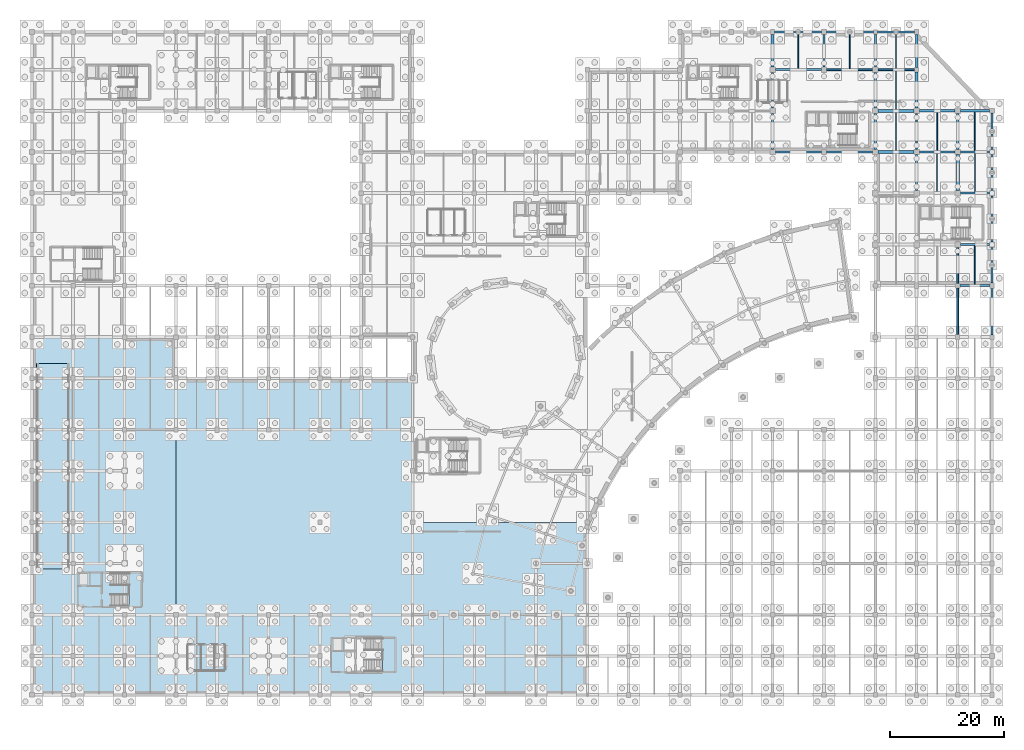
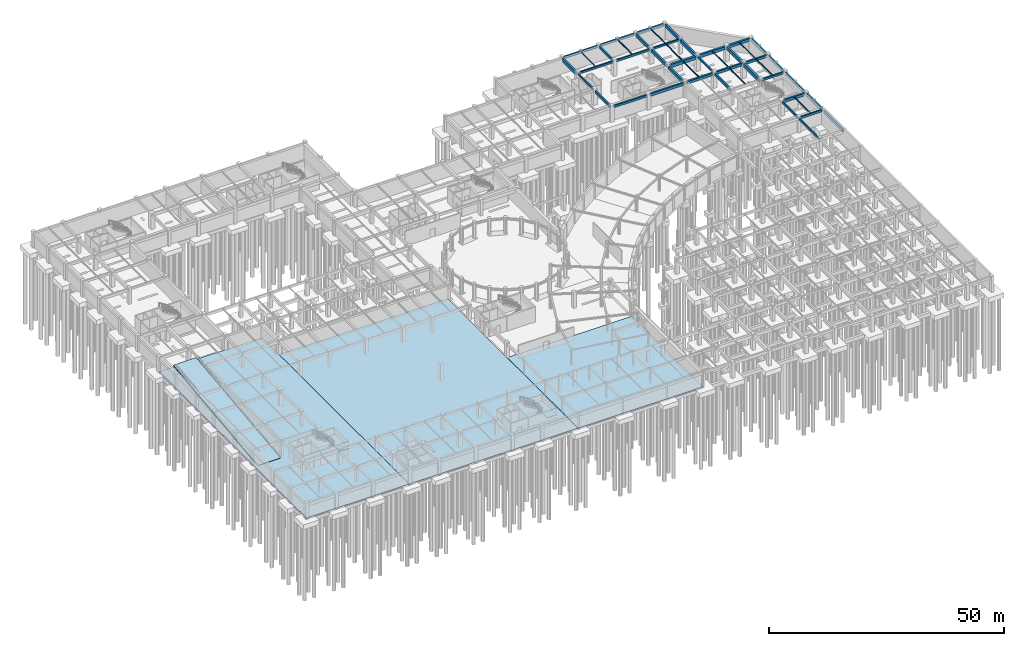
# One storey, part 27 of 42: 47 beams, 6 slabs, 2 elements without a shape of their own.
"""IFC4 building model written with IfcOpenShell, lengths in metres."""

from ifc_helpers import new_model, si_unit, direction, frame, origin, origin_2d, place, context, subcontext, project, spatial, polyline, rectangle, i_section, outline, extrude, material, layer, layer_set, material_profile, profile_set, type_object, element, aggregate, save


model = new_model("IFC4")

# Units and contexts
model_context = context("Model", 3, precision=1e-05, world=origin(), true_north=direction((0.0, 1.0)))
body_context = subcontext(model_context, "Body", "Model", "MODEL_VIEW")
ifc_project = project(units=[si_unit("LENGTHUNIT", "METRE"), si_unit("AREAUNIT", "SQUARE_METRE"), si_unit("VOLUMEUNIT", "CUBIC_METRE"), si_unit("PLANEANGLEUNIT", "RADIAN"), si_unit("MASSUNIT", "GRAM", prefix="KILO")], contexts=[model_context])

# Site, building, storey
site_placement = place(None, origin())
site = spatial("IfcSite", under=ifc_project, at=site_placement, CompositionType="ELEMENT")
building_placement = place(site_placement, origin())
building = spatial("IfcBuilding", under=site, at=building_placement, Name="Clarverna Civic Hall", CompositionType="ELEMENT")
storey_placement = place(building_placement, frame((0.0, 0.0, -4.199951171875)))
storey = spatial("IfcBuildingStorey", under=building, at=storey_placement, Name="B01", CompositionType="ELEMENT", Elevation=-4.199951171875)

# Beams
ifc_material_1 = material(Name="Concrete C35/45", Category="concrete")
ifc_material_profile_1 = material_profile(ifc_material_1, rectangle(XDim=0.5, YDim=0.85009765625, at=origin_2d()), Name="RC 500x850")
ifc_profile_set_1 = profile_set([ifc_material_profile_1], Name="Concrete C35/45")
beam_type_1 = type_object("IfcBeamType", Name="B-RC1", PredefinedType="BEAM", material=ifc_profile_set_1)
beam_1_placement = place(storey_placement, frame((148.074951171875, 102.199951171875, 3.4150390625), z_axis=(1.0, 0.0, 0.0), x_axis=(0.0, 1.0, 0.0)))
element("IfcBeam", 1, at=beam_1_placement, inside=storey, type_object=beam_type_1, Name="B-RC1-006", PredefinedType="BEAM", context=body_context, shape_type="SweptSolid", body=[
    extrude(rectangle(XDim=0.5, YDim=0.85009765625, at=origin_2d()), origin(), (0.0, 0.0, 1.0), 6.25),
])
beam_2_placement = place(storey_placement, frame((129.60009765625, 109.875, 3.4150390625), z_axis=(0.0, 1.0, 0.0), x_axis=(-1.0, 0.0, 0.0)))
element("IfcBeam", 2, at=beam_2_placement, inside=storey, type_object=beam_type_1, Name="B-RC1-011", PredefinedType="BEAM", context=body_context, shape_type="SweptSolid", body=[
    extrude(rectangle(XDim=0.5, YDim=0.85009765625, at=origin_2d()), origin(), (0.0, 0.0, 1.0), 5.675048828125),
])
beam_3_placement = place(storey_placement, frame((154.800048828125, 102.675048828125, 3.4150390625), z_axis=(0.0, 1.0, 0.0), x_axis=(-1.0, 0.0, 0.0)))
element("IfcBeam", 3, at=beam_3_placement, inside=storey, type_object=beam_type_1, Name="B-RC1-012", PredefinedType="BEAM", context=body_context, shape_type="SweptSolid", body=[
    extrude(rectangle(XDim=0.5, YDim=0.85009765625, at=origin_2d()), origin(), (0.0, 0.0, 1.0), 6.349853515625),
])
ifc_material_profile_2 = material_profile(ifc_material_1, rectangle(XDim=0.35009765625, YDim=0.5, at=origin_2d()), Name="RC 350x500")
ifc_profile_set_2 = profile_set([ifc_material_profile_2], Name="Concrete C35/45")
beam_type_2 = type_object("IfcBeamType", Name="B-RC10", PredefinedType="BEAM", material=ifc_profile_set_2)
beam_4_placement = place(storey_placement, frame((130.074951171875, 109.39990234375, 3.58984375), z_axis=(1.0, 0.0, 0.0), x_axis=(0.0, 1.0, 0.0)))
element("IfcBeam", 4, at=beam_4_placement, inside=storey, type_object=beam_type_2, Name="B-RC10-009", PredefinedType="BEAM", context=body_context, shape_type="SweptSolid", body=[
    extrude(rectangle(XDim=0.35009765625, YDim=0.5, at=origin_2d()), origin(), (0.0, 0.0, 1.0), 8.050048828125),
])
ifc_material_profile_3 = material_profile(ifc_material_1, rectangle(XDim=0.300048828125, YDim=0.550048828125, at=origin_2d()), Name="RC 300x550")
ifc_profile_set_3 = profile_set([ifc_material_profile_3], Name="Concrete C35/45")
beam_type_3 = type_object("IfcBeamType", Name="B-RC11", PredefinedType="BEAM", material=ifc_profile_set_3)
beam_5_placement = place(storey_placement, frame((139.074951171875, 109.39990234375, 3.56494140625), z_axis=(1.0, 0.0, 0.0), x_axis=(0.0, 1.0, 0.0)))
element("IfcBeam", 5, at=beam_5_placement, inside=storey, type_object=beam_type_3, Name="B-RC11-009", PredefinedType="BEAM", context=body_context, shape_type="SweptSolid", body=[
    extrude(rectangle(XDim=0.300048828125, YDim=0.550048828125, at=origin_2d()), origin(), (0.0, 0.0, 1.0), 8.050048828125),
])
beam_6_placement = place(storey_placement, frame((162.0, 63.050048828125, 3.56494140625), z_axis=(0.0, 1.0, 0.0), x_axis=(-1.0, 0.0, 0.0)))
element("IfcBeam", 6, at=beam_6_placement, inside=storey, type_object=beam_type_3, Name="B-RC11-017", PredefinedType="BEAM", context=body_context, shape_type="SweptSolid", body=[
    extrude(rectangle(XDim=0.300048828125, YDim=0.550048828125, at=origin_2d()), origin(), (0.0, 0.0, 1.0), 8.14990234375),
])
ifc_material_profile_4 = material_profile(ifc_material_1, rectangle(XDim=0.300048828125, YDim=0.5, at=origin_2d()), Name="RC 300x500")
ifc_profile_set_4 = profile_set([ifc_material_profile_4], Name="Concrete C35/45")
beam_type_4 = type_object("IfcBeamType", Name="B-RC12", PredefinedType="BEAM", material=ifc_profile_set_4)
beam_7_placement = place(storey_placement, frame((148.074951171875, 109.39990234375, 3.58984375), z_axis=(1.0, 0.0, 0.0), x_axis=(0.0, 1.0, 0.0)))
element("IfcBeam", 7, at=beam_7_placement, inside=storey, type_object=beam_type_4, Name="B-RC12-009", PredefinedType="BEAM", context=body_context, shape_type="SweptSolid", body=[
    extrude(rectangle(XDim=0.300048828125, YDim=0.5, at=origin_2d()), origin(), (0.0, 0.0, 1.0), 6.35009765625),
])
beam_8_placement = place(storey_placement, frame((162.0, 72.0, 3.58984375), z_axis=(0.0, 1.0, 0.0), x_axis=(-1.0, 0.0, 0.0)))
element("IfcBeam", 8, at=beam_8_placement, inside=storey, type_object=beam_type_4, Name="B-RC12-018", PredefinedType="BEAM", context=body_context, shape_type="SweptSolid", body=[
    extrude(rectangle(XDim=0.300048828125, YDim=0.5, at=origin_2d()), origin(), (0.0, 0.0, 1.0), 6.324951171875),
])
ifc_material_profile_5 = material_profile(ifc_material_1, rectangle(XDim=0.550048828125, YDim=0.89990234375, at=origin_2d()), Name="RC 550x900")
ifc_profile_set_5 = profile_set([ifc_material_profile_5], Name="Concrete C35/45")
beam_type_5 = type_object("IfcBeamType", Name="B-RC13", PredefinedType="BEAM", material=ifc_profile_set_5)
beam_9_placement = place(storey_placement, frame((162.0, 88.27490234375, 3.389892578125), z_axis=(0.0, 1.0, 0.0), x_axis=(-1.0, 0.0, 0.0)))
element("IfcBeam", 9, at=beam_9_placement, inside=storey, type_object=beam_type_5, Name="B-RC13-016", PredefinedType="BEAM", context=body_context, shape_type="SweptSolid", body=[
    extrude(rectangle(XDim=0.550048828125, YDim=0.89990234375, at=origin_2d()), origin(), (0.0, 0.0, 1.0), 6.25),
])
ifc_material_profile_6 = material_profile(ifc_material_1, rectangle(XDim=0.5, YDim=0.800048828125, at=origin_2d()), Name="RC 500x800")
ifc_profile_set_6 = profile_set([ifc_material_profile_6], Name="Concrete C35/45")
beam_type_6 = type_object("IfcBeamType", Name="B-RC14", PredefinedType="BEAM", material=ifc_profile_set_6)
beam_10_placement = place(storey_placement, frame((162.0, 95.47509765625, 3.43994140625), z_axis=(0.0, 1.0, 0.0), x_axis=(-1.0, 0.0, 0.0)))
element("IfcBeam", 10, at=beam_10_placement, inside=storey, type_object=beam_type_6, Name="B-RC14-017", PredefinedType="BEAM", context=body_context, shape_type="SweptSolid", body=[
    extrude(rectangle(XDim=0.5, YDim=0.800048828125, at=origin_2d()), origin(), (0.0, 0.0, 1.0), 6.25),
])
ifc_material_profile_7 = material_profile(ifc_material_1, rectangle(XDim=0.39990234375, YDim=0.75, at=origin_2d()), Name="RC 400x750")
ifc_profile_set_7 = profile_set([ifc_material_profile_7], Name="Concrete C35/45")
beam_type_7 = type_object("IfcBeamType", Name="B-RC16", PredefinedType="BEAM", material=ifc_profile_set_7)
beam_11_placement = place(storey_placement, frame((162.47509765625, 78.800048828125, 3.46484375), z_axis=(1.0, 0.0, 0.0), x_axis=(0.0, 1.0, 0.0)))
element("IfcBeam", 11, at=beam_11_placement, inside=storey, type_object=beam_type_7, Name="B-RC16-007", PredefinedType="BEAM", context=body_context, shape_type="SweptSolid", body=[
    extrude(rectangle(XDim=0.39990234375, YDim=0.75, at=origin_2d()), origin(), (0.0, 0.0, 1.0), 5.0498046875),
])
ifc_material_profile_8 = material_profile(ifc_material_1, rectangle(XDim=0.35009765625, YDim=0.64990234375, at=origin_2d()), Name="RC 350x650")
ifc_profile_set_8 = profile_set([ifc_material_profile_8], Name="Concrete C35/45")
beam_type_8 = type_object("IfcBeamType", Name="B-RC17", PredefinedType="BEAM", material=ifc_profile_set_8)
for number, where, z_axis, x_axis, name in (
    (12, (129.60009765625, 95.47509765625, 3.514892578125), (0.0, 1.0, 0.0), (-1.0, 0.0, 0.0), "B-RC17-014"),
    (13, (154.800048828125, 88.27490234375, 3.514892578125), (0.0, 1.0, 0.0), (-1.0, 0.0, 0.0), "B-RC17-016"),
):
    element("IfcBeam", number, at=place(storey_placement, frame(where, z_axis=z_axis, x_axis=x_axis)), inside=storey, type_object=beam_type_8, Name=name, PredefinedType="BEAM", context=body_context, shape_type="SweptSolid", body=[
        extrude(rectangle(XDim=0.35009765625, YDim=0.64990234375, at=origin_2d()), origin(), (0.0, 0.0, 1.0), 6.25),
    ])
ifc_material_profile_9 = material_profile(ifc_material_1, rectangle(XDim=0.300048828125, YDim=0.449951171875, at=origin_2d()), Name="RC 300x450")
ifc_profile_set_9 = profile_set([ifc_material_profile_9], Name="Concrete C35/45")
beam_type_9 = type_object("IfcBeamType", Name="B-RC18", PredefinedType="BEAM", material=ifc_profile_set_9)
for number, where, z_axis, x_axis, name in (
    (14, (129.60009765625, 102.675048828125, 3.614990234375), (0.0, 1.0, 0.0), (-1.0, 0.0, 0.0), "B-RC18-011"),
    (15, (154.800048828125, 95.47509765625, 3.614990234375), (0.0, 1.0, 0.0), (-1.0, 0.0, 0.0), "B-RC18-012"),
):
    element("IfcBeam", number, at=place(storey_placement, frame(where, z_axis=z_axis, x_axis=x_axis)), inside=storey, type_object=beam_type_9, Name=name, PredefinedType="BEAM", context=body_context, shape_type="SweptSolid", body=[
        extrude(rectangle(XDim=0.300048828125, YDim=0.449951171875, at=origin_2d()), origin(), (0.0, 0.0, 1.0), 6.25),
    ])
ifc_material_profile_10 = material_profile(ifc_material_1, rectangle(XDim=0.449951171875, YDim=0.800048828125, at=origin_2d()), Name="RC 450x800")
ifc_profile_set_10 = profile_set([ifc_material_profile_10], Name="Concrete C35/45")
beam_type_10 = type_object("IfcBeamType", Name="B-RC2", PredefinedType="BEAM", material=ifc_profile_set_10)
beam_12_placement = place(storey_placement, frame((155.27490234375, 102.199951171875, 3.43994140625), z_axis=(1.0, 0.0, 0.0), x_axis=(0.0, 1.0, 0.0)))
element("IfcBeam", 16, at=beam_12_placement, inside=storey, type_object=beam_type_10, Name="B-RC2-006", PredefinedType="BEAM", context=body_context, shape_type="SweptSolid", body=[
    extrude(rectangle(XDim=0.449951171875, YDim=0.800048828125, at=origin_2d()), origin(), (0.0, 0.0, 1.0), 6.25),
])
beam_13_placement = place(storey_placement, frame((154.800048828125, 109.77490234375, 3.43994140625), z_axis=(0.0, 1.0, 0.0), x_axis=(-1.0, 0.0, 0.0)))
element("IfcBeam", 17, at=beam_13_placement, inside=storey, type_object=beam_type_10, Name="B-RC2-012", PredefinedType="BEAM", context=body_context, shape_type="SweptSolid", body=[
    extrude(rectangle(XDim=0.449951171875, YDim=0.800048828125, at=origin_2d()), origin(), (0.0, 0.0, 1.0), 5.775146484375),
])
ifc_material_profile_11 = material_profile(ifc_material_1, rectangle(XDim=0.449951171875, YDim=0.75, at=origin_2d()), Name="RC 450x750")
ifc_profile_set_11 = profile_set([ifc_material_profile_11], Name="Concrete C35/45")
beam_type_11 = type_object("IfcBeamType", Name="B-RC3", PredefinedType="BEAM", material=ifc_profile_set_11)
beam_14_placement = place(storey_placement, frame((162.47509765625, 102.199951171875, 3.46484375), z_axis=(1.0, 0.0, 0.0), x_axis=(0.0, 1.0, 0.0)))
element("IfcBeam", 18, at=beam_14_placement, inside=storey, type_object=beam_type_11, Name="B-RC3-007", PredefinedType="BEAM", context=body_context, shape_type="SweptSolid", body=[
    extrude(rectangle(XDim=0.449951171875, YDim=0.75, at=origin_2d()), origin(), (0.0, 0.0, 1.0), 5.125),
])
beam_15_placement = place(storey_placement, frame((147.60009765625, 95.47509765625, 3.46484375), z_axis=(0.0, 1.0, 0.0), x_axis=(-1.0, 0.0, 0.0)))
element("IfcBeam", 19, at=beam_15_placement, inside=storey, type_object=beam_type_11, Name="B-RC3-012", PredefinedType="BEAM", context=body_context, shape_type="SweptSolid", body=[
    extrude(rectangle(XDim=0.449951171875, YDim=0.75, at=origin_2d()), origin(), (0.0, 0.0, 1.0), 6.25),
])
ifc_material_profile_12 = material_profile(ifc_material_1, rectangle(XDim=0.449951171875, YDim=0.699951171875, at=origin_2d()), Name="RC 450x700")
ifc_profile_set_12 = profile_set([ifc_material_profile_12], Name="Concrete C35/45")
beam_type_12 = type_object("IfcBeamType", Name="B-RC4", PredefinedType="BEAM", material=ifc_profile_set_12)
for number, where, z_axis, x_axis, name in (
    (20, (148.074951171875, 95.0, 3.489990234375), (1.0, 0.0, 0.0), (0.0, 1.0, 0.0), "B-RC4-008"),
    (21, (147.60009765625, 102.675048828125, 3.489990234375), (0.0, 1.0, 0.0), (-1.0, 0.0, 0.0), "B-RC4-015"),
):
    element("IfcBeam", number, at=place(storey_placement, frame(where, z_axis=z_axis, x_axis=x_axis)), inside=storey, type_object=beam_type_12, Name=name, PredefinedType="BEAM", context=body_context, shape_type="SweptSolid", body=[
        extrude(rectangle(XDim=0.449951171875, YDim=0.699951171875, at=origin_2d()), origin(), (0.0, 0.0, 1.0), 6.25),
    ])
ifc_material_profile_13 = material_profile(ifc_material_1, rectangle(XDim=0.39990234375, YDim=0.699951171875, at=origin_2d()), Name="RC 400x700")
ifc_profile_set_13 = profile_set([ifc_material_profile_13], Name="Concrete C35/45")
beam_type_13 = type_object("IfcBeamType", Name="B-RC5", PredefinedType="BEAM", material=ifc_profile_set_13)
beam_16_placement = place(storey_placement, frame((155.27490234375, 95.0, 3.489990234375), z_axis=(1.0, 0.0, 0.0), x_axis=(0.0, 1.0, 0.0)))
element("IfcBeam", 22, at=beam_16_placement, inside=storey, type_object=beam_type_13, Name="B-RC5-008", PredefinedType="BEAM", context=body_context, shape_type="SweptSolid", body=[
    extrude(rectangle(XDim=0.39990234375, YDim=0.699951171875, at=origin_2d()), origin(), (0.0, 0.0, 1.0), 6.25),
])
beam_17_placement = place(storey_placement, frame((147.60009765625, 109.875, 3.489990234375), z_axis=(0.0, 1.0, 0.0), x_axis=(-1.0, 0.0, 0.0)))
element("IfcBeam", 23, at=beam_17_placement, inside=storey, type_object=beam_type_13, Name="B-RC5-016", PredefinedType="BEAM", context=body_context, shape_type="SweptSolid", body=[
    extrude(rectangle(XDim=0.39990234375, YDim=0.699951171875, at=origin_2d()), origin(), (0.0, 0.0, 1.0), 5.75),
])
ifc_material_profile_14 = material_profile(ifc_material_1, rectangle(XDim=0.39990234375, YDim=0.64990234375, at=origin_2d()), Name="RC 400x650")
ifc_profile_set_14 = profile_set([ifc_material_profile_14], Name="Concrete C35/45")
beam_type_14 = type_object("IfcBeamType", Name="B-RC6", PredefinedType="BEAM", material=ifc_profile_set_14)
beam_18_placement = place(storey_placement, frame((162.47509765625, 95.0, 3.514892578125), z_axis=(1.0, 0.0, 0.0), x_axis=(0.0, 1.0, 0.0)))
element("IfcBeam", 24, at=beam_18_placement, inside=storey, type_object=beam_type_14, Name="B-RC6-006", PredefinedType="BEAM", context=body_context, shape_type="SweptSolid", body=[
    extrude(rectangle(XDim=0.39990234375, YDim=0.64990234375, at=origin_2d()), origin(), (0.0, 0.0, 1.0), 5.0498046875),
])
ifc_material_profile_15 = material_profile(ifc_material_1, rectangle(XDim=0.35009765625, YDim=0.60009765625, at=origin_2d()), Name="RC 350x600")
ifc_profile_set_15 = profile_set([ifc_material_profile_15], Name="Concrete C35/45")
beam_type_15 = type_object("IfcBeamType", Name="B-RC8", PredefinedType="BEAM", material=ifc_profile_set_15)
beam_19_placement = place(storey_placement, frame((138.60009765625, 109.875, 3.5400390625), z_axis=(0.0, 1.0, 0.0), x_axis=(-1.0, 0.0, 0.0)))
element("IfcBeam", 25, at=beam_19_placement, inside=storey, type_object=beam_type_15, Name="B-RC8-014", PredefinedType="BEAM", context=body_context, shape_type="SweptSolid", body=[
    extrude(rectangle(XDim=0.35009765625, YDim=0.60009765625, at=origin_2d()), origin(), (0.0, 0.0, 1.0), 5.72509765625),
])
ifc_material_profile_16 = material_profile(ifc_material_1, rectangle(XDim=0.35009765625, YDim=0.550048828125, at=origin_2d()), Name="RC 350x550")
ifc_profile_set_16 = profile_set([ifc_material_profile_16], Name="Concrete C35/45")
beam_type_16 = type_object("IfcBeamType", Name="B-RC9", PredefinedType="BEAM", material=ifc_profile_set_16)
beam_20_placement = place(storey_placement, frame((162.39990234375, 71.60009765625, 3.56494140625), z_axis=(1.0, 0.0, 0.0), x_axis=(0.0, 1.0, 0.0)))
element("IfcBeam", 26, at=beam_20_placement, inside=storey, type_object=beam_type_16, Name="B-RC9-007", PredefinedType="BEAM", context=body_context, shape_type="SweptSolid", body=[
    extrude(rectangle(XDim=0.35009765625, YDim=0.550048828125, at=origin_2d()), origin(), (0.0, 0.0, 1.0), 5.25),
])
beam_21_placement = place(storey_placement, frame((162.47509765625, 87.800048828125, 3.56494140625), z_axis=(1.0, 0.0, 0.0), x_axis=(0.0, 1.0, 0.0)))
element("IfcBeam", 27, at=beam_21_placement, inside=storey, type_object=beam_type_16, Name="B-RC9-008", PredefinedType="BEAM", context=body_context, shape_type="SweptSolid", body=[
    extrude(rectangle(XDim=0.35009765625, YDim=0.550048828125, at=origin_2d()), origin(), (0.0, 0.0, 1.0), 5.0498046875),
])
ifc_material_profile_17 = material_profile(ifc_material_1, rectangle(XDim=0.419921875, YDim=0.719970703125, at=origin_2d()), Name="RC 420x720")
ifc_profile_set_17 = profile_set([ifc_material_profile_17], Name="Concrete C35/45")
beam_type_17 = type_object("IfcBeamType", Name="B-SP1", PredefinedType="SPANDREL", material=ifc_profile_set_17)
beam_22_placement = place(storey_placement, frame((139.074951171875, 95.0, 3.47998046875), z_axis=(1.0, 0.0, 0.0), x_axis=(0.0, 1.0, 0.0)))
element("IfcBeam", 28, at=beam_22_placement, inside=storey, type_object=beam_type_17, Name="B-SP1-010", PredefinedType="SPANDREL", context=body_context, shape_type="SweptSolid", body=[
    extrude(rectangle(XDim=0.419921875, YDim=0.719970703125, at=origin_2d()), origin(), (0.0, 0.0, 1.0), 8.050048828125),
])
beam_23_placement = place(storey_placement, frame((147.97509765625, 116.0, 3.47998046875), z_axis=(1.0, 0.0, 0.0), x_axis=(0.0, 1.0, 0.0)))
element("IfcBeam", 29, at=beam_23_placement, inside=storey, type_object=beam_type_17, Name="B-SP1-016", PredefinedType="SPANDREL", context=body_context, shape_type="SweptSolid", body=[
    extrude(rectangle(XDim=0.419921875, YDim=0.719970703125, at=origin_2d()), origin(), (0.0, 0.0, 1.0), 6.474853515625),
])
beam_24_placement = place(storey_placement, frame((168.0, 62.97509765625, 3.47998046875), z_axis=(0.0, 1.0, 0.0), x_axis=(-1.0, 0.0, 0.0)))
element("IfcBeam", 30, at=beam_24_placement, inside=storey, type_object=beam_type_17, Name="B-SP1-032", PredefinedType="SPANDREL", context=body_context, shape_type="SweptSolid", body=[
    extrude(rectangle(XDim=0.419921875, YDim=0.719970703125, at=origin_2d()), origin(), (0.0, 0.0, 1.0), 8.1748046875),
])
beam_25_placement = place(storey_placement, frame((168.0, 95.47509765625, 3.47998046875), z_axis=(0.0, 1.0, 0.0), x_axis=(-1.0, 0.0, 0.0)))
element("IfcBeam", 31, at=beam_25_placement, inside=storey, type_object=beam_type_17, Name="B-SP1-033", PredefinedType="SPANDREL", context=body_context, shape_type="SweptSolid", body=[
    extrude(rectangle(XDim=0.419921875, YDim=0.719970703125, at=origin_2d()), origin(), (0.0, 0.0, 1.0), 6.324951171875),
])
ifc_material_profile_18 = material_profile(ifc_material_1, rectangle(XDim=0.3798828125, YDim=0.679931640625, at=origin_2d()), Name="RC 380x680")
ifc_profile_set_18 = profile_set([ifc_material_profile_18], Name="Concrete C35/45")
beam_type_18 = type_object("IfcBeamType", Name="B-SP2", PredefinedType="SPANDREL", material=ifc_profile_set_18)
beam_26_placement = place(storey_placement, frame((168.0, 72.050048828125, 3.5), z_axis=(0.0, 1.0, 0.0), x_axis=(-1.0, 0.0, 0.0)))
element("IfcBeam", 32, at=beam_26_placement, inside=storey, type_object=beam_type_18, Name="B-SP2-031", PredefinedType="SPANDREL", context=body_context, shape_type="SweptSolid", body=[
    extrude(rectangle(XDim=0.3798828125, YDim=0.679931640625, at=origin_2d()), origin(), (0.0, 0.0, 1.0), 6.27490234375),
])
ifc_material_profile_19 = material_profile(ifc_material_1, rectangle(XDim=0.360107421875, YDim=0.6201171875, at=origin_2d()), Name="RC 360x620")
ifc_profile_set_19 = profile_set([ifc_material_profile_19], Name="Concrete C35/45")
beam_type_19 = type_object("IfcBeamType", Name="B-SP3", PredefinedType="SPANDREL", material=ifc_profile_set_19)
beam_27_placement = place(storey_placement, frame((129.949951171875, 116.0, 3.530029296875), z_axis=(1.0, 0.0, 0.0), x_axis=(0.0, 1.0, 0.0)))
element("IfcBeam", 33, at=beam_27_placement, inside=storey, type_object=beam_type_19, Name="B-SP3-015", PredefinedType="SPANDREL", context=body_context, shape_type="SweptSolid", body=[
    extrude(rectangle(XDim=0.360107421875, YDim=0.6201171875, at=origin_2d()), origin(), (0.0, 0.0, 1.0), 8.25),
])
beam_28_placement = place(storey_placement, frame((168.0, 79.27490234375, 3.530029296875), z_axis=(0.0, 1.0, 0.0), x_axis=(-1.0, 0.0, 0.0)))
element("IfcBeam", 34, at=beam_28_placement, inside=storey, type_object=beam_type_19, Name="B-SP3-031", PredefinedType="SPANDREL", context=body_context, shape_type="SweptSolid", body=[
    extrude(rectangle(XDim=0.360107421875, YDim=0.6201171875, at=origin_2d()), origin(), (0.0, 0.0, 1.0), 8.050048828125),
])
ifc_material_profile_20 = material_profile(ifc_material_1, rectangle(XDim=0.39990234375, YDim=0.56005859375, at=origin_2d()), Name="RC 400x560")
ifc_profile_set_20 = profile_set([ifc_material_profile_20], Name="Concrete C35/45")
beam_type_20 = type_object("IfcBeamType", Name="B-SP4", PredefinedType="SPANDREL", material=ifc_profile_set_20)
beam_29_placement = place(storey_placement, frame((130.074951171875, 95.0, 3.56005859375), z_axis=(1.0, 0.0, 0.0), x_axis=(0.0, 1.0, 0.0)))
element("IfcBeam", 35, at=beam_29_placement, inside=storey, type_object=beam_type_20, Name="B-SP4-010", PredefinedType="SPANDREL", context=body_context, shape_type="SweptSolid", body=[
    extrude(rectangle(XDim=0.39990234375, YDim=0.56005859375, at=origin_2d()), origin(), (0.0, 0.0, 1.0), 8.050048828125),
])
beam_30_placement = place(storey_placement, frame((139.0, 116.0, 3.56005859375), z_axis=(1.0, 0.0, 0.0), x_axis=(0.0, 1.0, 0.0)))
element("IfcBeam", 36, at=beam_30_placement, inside=storey, type_object=beam_type_20, Name="B-SP4-015", PredefinedType="SPANDREL", context=body_context, shape_type="SweptSolid", body=[
    extrude(rectangle(XDim=0.39990234375, YDim=0.56005859375, at=origin_2d()), origin(), (0.0, 0.0, 1.0), 8.22509765625),
])
beam_31_placement = place(storey_placement, frame((168.0, 88.27490234375, 3.56005859375), z_axis=(0.0, 1.0, 0.0), x_axis=(-1.0, 0.0, 0.0)))
element("IfcBeam", 37, at=beam_31_placement, inside=storey, type_object=beam_type_20, Name="B-SP4-032", PredefinedType="SPANDREL", context=body_context, shape_type="SweptSolid", body=[
    extrude(rectangle(XDim=0.39990234375, YDim=0.56005859375, at=origin_2d()), origin(), (0.0, 0.0, 1.0), 6.25),
])
ifc_material_2 = material(Name="Steel S355", Category="steel")
ifc_material_profile_21 = material_profile(ifc_material_2, i_section(OverallWidth=0.159912109375, OverallDepth=0.330078125, WebThickness=0.007568359375, FlangeThickness=0.011474609375, FilletRadius=0.01806640625, at=origin_2d()), Name="IPE 330")
ifc_profile_set_21 = profile_set([ifc_material_profile_21], Name="Steel S355")
beam_type_21 = type_object("IfcBeamType", Name="J-ST2", PredefinedType="JOIST", material=ifc_profile_set_21)
beam_32_placement = place(storey_placement, frame((151.199951171875, 95.22509765625, 3.675048828125), z_axis=(0.0, 1.0, 0.0), x_axis=(-1.0, 0.0, 0.0)))
element("IfcBeam", 38, at=beam_32_placement, inside=storey, type_object=beam_type_21, Name="J-ST2-020", PredefinedType="JOIST", context=body_context, shape_type="SweptSolid", body=[
    extrude(i_section(OverallWidth=0.159912109375, OverallDepth=0.330078125, WebThickness=0.007568359375, FlangeThickness=0.011474609375, FilletRadius=0.01806640625, at=origin_2d()), origin(), (0.0, 0.0, 1.0), 6.724853515625),
])
ifc_material_profile_22 = material_profile(ifc_material_2, i_section(OverallWidth=0.14990234375, OverallDepth=0.300048828125, WebThickness=0.007080078125, FlangeThickness=0.0107421875, FilletRadius=0.014892578125, at=origin_2d()), Name="IPE 300")
ifc_profile_set_22 = profile_set([ifc_material_profile_22], Name="Steel S355")
beam_type_22 = type_object("IfcBeamType", Name="J-ST3", PredefinedType="JOIST", material=ifc_profile_set_22)
beam_33_placement = place(storey_placement, frame((158.39990234375, 95.199951171875, 3.68994140625), z_axis=(0.0, 1.0, 0.0), x_axis=(-1.0, 0.0, 0.0)))
element("IfcBeam", 39, at=beam_33_placement, inside=storey, type_object=beam_type_22, Name="J-ST3-020", PredefinedType="JOIST", context=body_context, shape_type="SweptSolid", body=[
    extrude(i_section(OverallWidth=0.14990234375, OverallDepth=0.300048828125, WebThickness=0.007080078125, FlangeThickness=0.0107421875, FilletRadius=0.014892578125, at=origin_2d()), origin(), (0.0, 0.0, 1.0), 6.775146484375),
])
ifc_material_profile_23 = material_profile(ifc_material_2, i_section(OverallWidth=0.135009765625, OverallDepth=0.27001953125, WebThickness=0.006591796875, FlangeThickness=0.01025390625, FilletRadius=0.014892578125, at=origin_2d()), Name="IPE 270")
ifc_profile_set_23 = profile_set([ifc_material_profile_23], Name="Steel S355")
beam_type_23 = type_object("IfcBeamType", Name="J-ST4", PredefinedType="JOIST", material=ifc_profile_set_23)
beam_34_placement = place(storey_placement, frame((165.0, 71.77490234375, 3.704833984375), z_axis=(0.0, 1.0, 0.0), x_axis=(-1.0, 0.0, 0.0)))
element("IfcBeam", 40, at=beam_34_placement, inside=storey, type_object=beam_type_23, Name="J-ST4-018", PredefinedType="JOIST", context=body_context, shape_type="SweptSolid", body=[
    extrude(i_section(OverallWidth=0.135009765625, OverallDepth=0.27001953125, WebThickness=0.006591796875, FlangeThickness=0.01025390625, FilletRadius=0.014892578125, at=origin_2d()), origin(), (0.0, 0.0, 1.0), 6.8251953125),
])
beam_35_placement = place(storey_placement, frame((165.0, 95.199951171875, 3.704833984375), z_axis=(0.0, 1.0, 0.0), x_axis=(-1.0, 0.0, 0.0)))
element("IfcBeam", 41, at=beam_35_placement, inside=storey, type_object=beam_type_23, Name="J-ST4-022", PredefinedType="JOIST", context=body_context, shape_type="SweptSolid", body=[
    extrude(i_section(OverallWidth=0.135009765625, OverallDepth=0.27001953125, WebThickness=0.006591796875, FlangeThickness=0.01025390625, FilletRadius=0.014892578125, at=origin_2d()), origin(), (0.0, 0.0, 1.0), 6.775146484375),
])
beam_36_placement = place(storey_placement, frame((134.10009765625, 109.574951171875, 3.704833984375), z_axis=(0.0, 1.0, 0.0), x_axis=(-1.0, 0.0, 0.0)))
element("IfcBeam", 42, at=beam_36_placement, inside=storey, type_object=beam_type_23, Name="J-ST4-024", PredefinedType="JOIST", context=body_context, shape_type="SweptSolid", body=[
    extrude(i_section(OverallWidth=0.135009765625, OverallDepth=0.27001953125, WebThickness=0.006591796875, FlangeThickness=0.01025390625, FilletRadius=0.014892578125, at=origin_2d()), origin(), (0.0, 0.0, 1.0), 6.2451171875),
])
ifc_material_profile_24 = material_profile(ifc_material_2, i_section(OverallWidth=0.1201171875, OverallDepth=0.239990234375, WebThickness=0.006103515625, FlangeThickness=0.009765625, FilletRadius=0.014892578125, at=origin_2d()), Name="IPE 240")
ifc_profile_set_24 = profile_set([ifc_material_profile_24], Name="Steel S355")
beam_type_24 = type_object("IfcBeamType", Name="J-ST5", PredefinedType="JOIST", material=ifc_profile_set_24)
beam_37_placement = place(storey_placement, frame((158.39990234375, 87.97509765625, 3.719970703125), z_axis=(0.0, 1.0, 0.0), x_axis=(-1.0, 0.0, 0.0)))
element("IfcBeam", 43, at=beam_37_placement, inside=storey, type_object=beam_type_24, Name="J-ST5-018", PredefinedType="JOIST", context=body_context, shape_type="SweptSolid", body=[
    extrude(i_section(OverallWidth=0.1201171875, OverallDepth=0.239990234375, WebThickness=0.006103515625, FlangeThickness=0.009765625, FilletRadius=0.014892578125, at=origin_2d()), origin(), (0.0, 0.0, 1.0), 6.824951171875),
])
beam_38_placement = place(storey_placement, frame((151.199951171875, 102.449951171875, 3.719970703125), z_axis=(0.0, 1.0, 0.0), x_axis=(-1.0, 0.0, 0.0)))
element("IfcBeam", 44, at=beam_38_placement, inside=storey, type_object=beam_type_24, Name="J-ST5-021", PredefinedType="JOIST", context=body_context, shape_type="SweptSolid", body=[
    extrude(i_section(OverallWidth=0.1201171875, OverallDepth=0.239990234375, WebThickness=0.006103515625, FlangeThickness=0.009765625, FilletRadius=0.014892578125, at=origin_2d()), origin(), (0.0, 0.0, 1.0), 6.800048828125),
])
beam_39_placement = place(storey_placement, frame((143.10009765625, 109.550048828125, 3.719970703125), z_axis=(0.0, 1.0, 0.0), x_axis=(-1.0, 0.0, 0.0)))
element("IfcBeam", 45, at=beam_39_placement, inside=storey, type_object=beam_type_24, Name="J-ST5-022", PredefinedType="JOIST", context=body_context, shape_type="SweptSolid", body=[
    extrude(i_section(OverallWidth=0.1201171875, OverallDepth=0.239990234375, WebThickness=0.006103515625, FlangeThickness=0.009765625, FilletRadius=0.014892578125, at=origin_2d()), origin(), (0.0, 0.0, 1.0), 6.25),
])
ifc_material_profile_25 = material_profile(ifc_material_2, i_section(OverallWidth=0.110107421875, OverallDepth=0.219970703125, WebThickness=0.005859375, FlangeThickness=0.00927734375, FilletRadius=0.011962890625, at=origin_2d()), Name="IPE 220")
ifc_profile_set_25 = profile_set([ifc_material_profile_25], Name="Steel S355")
beam_type_25 = type_object("IfcBeamType", Name="J-ST6", PredefinedType="JOIST", material=ifc_profile_set_25)
beam_40_placement = place(storey_placement, frame((165.0, 87.97509765625, 3.72998046875), z_axis=(0.0, 1.0, 0.0), x_axis=(-1.0, 0.0, 0.0)))
element("IfcBeam", 46, at=beam_40_placement, inside=storey, type_object=beam_type_25, Name="J-ST6-019", PredefinedType="JOIST", context=body_context, shape_type="SweptSolid", body=[
    extrude(i_section(OverallWidth=0.110107421875, OverallDepth=0.219970703125, WebThickness=0.005859375, FlangeThickness=0.00927734375, FilletRadius=0.011962890625, at=origin_2d()), origin(), (0.0, 0.0, 1.0), 6.824951171875),
])
beam_41_placement = place(storey_placement, frame((151.199951171875, 109.550048828125, 3.72998046875), z_axis=(0.0, 1.0, 0.0), x_axis=(-1.0, 0.0, 0.0)))
element("IfcBeam", 47, at=beam_41_placement, inside=storey, type_object=beam_type_25, Name="J-ST6-023", PredefinedType="JOIST", context=body_context, shape_type="SweptSolid", body=[
    extrude(i_section(OverallWidth=0.110107421875, OverallDepth=0.219970703125, WebThickness=0.005859375, FlangeThickness=0.00927734375, FilletRadius=0.011962890625, at=origin_2d()), origin(), (0.0, 0.0, 1.0), 6.239990234375),
])

# Slabs
ifc_material_3 = material(Name="Concrete C30/37", Category="concrete")
ifc_layer_1 = layer(ifc_material_3, 0.449951171875)
ifc_layer_set_1 = layer_set([ifc_layer_1], Name="Concrete C30/37")
slab_type_1 = type_object("IfcSlabType", Name="SL-BS1", PredefinedType="BASESLAB", material=ifc_layer_set_1)
slab_1_placement = place(storey_placement, frame((0.0, 0.0, -0.449951171875)))
element("IfcSlab", 48, at=slab_1_placement, inside=storey, type_object=slab_type_1, Name="SL-BS1-011", PredefinedType="BASESLAB", context=body_context, shape_type="SweptSolid", body=[
    extrude(outline(polyline([(0.0, 62.60009765625), (0.0, 0.0), (25.199951171875, 0.0), (25.199951171875, 62.60009765625), (16.199951171875, 62.60009765625), (0.0, 62.60009765625)]), holes=[polyline([(0.800048828125, 21.97998046875), (6.409912109375, 21.97998046875), (6.409912109375, 24.25), (0.800048828125, 24.25), (0.800048828125, 21.97998046875)])]), origin(), (0.0, 0.0, 1.0), 0.449951171875),
])
slab_2_placement = place(storey_placement, frame((0.0, 0.0, -0.449951171875)))
element("IfcSlab", 49, at=slab_2_placement, inside=storey, type_object=slab_type_1, Name="SL-BS1-012", PredefinedType="BASESLAB", context=body_context, shape_type="SweptSolid", body=[
    extrude(outline(polyline([(25.199951171875, 0.0), (66.574951171875, 0.0), (66.574951171875, 55.39990234375), (25.199951171875, 55.39990234375), (25.199951171875, 0.0)])), origin(), (0.0, 0.0, 1.0), 0.449951171875),
])
slab_3_placement = place(storey_placement, frame((0.0, 0.0, -0.449951171875)))
element("IfcSlab", 50, at=slab_3_placement, inside=storey, type_object=slab_type_1, Name="SL-BS1-013", PredefinedType="BASESLAB", context=body_context, shape_type="SweptSolid", body=[
    extrude(outline(polyline([(66.625, 0.0), (97.175048828125, 0.0), (97.175048828125, 30.199951171875), (66.625, 30.199951171875), (66.625, 0.0)])), origin(), (0.0, 0.0, 1.0), 0.449951171875),
])

# Stair, slab
stair_type_1 = type_object("IfcStairType", Name="ST-H2", PredefinedType="HALF_TURN_STAIR", material=ifc_material_3)
stair_1_placement = place(storey_placement, origin())
stair_1 = element("IfcStair", 51, at=stair_1_placement, inside=storey, type_object=stair_type_1, Name="ST-H2:B01:0004", PredefinedType="HALF_TURN_STAIR")
ifc_layer_2 = layer(ifc_material_3, 0.199951171875)
ifc_layer_set_2 = layer_set([ifc_layer_2], Name="Concrete C30/37")
slab_type_2 = type_object("IfcSlabType", Name="SL-LD1", PredefinedType="LANDING", material=ifc_layer_set_2)
slab_4_placement = place(storey_placement, frame((0.0, 0.0, 1.89990234375)))
slab_4 = element("IfcSlab", 52, at=slab_4_placement, type_object=slab_type_2, Name="SL-LD1-030", PredefinedType="LANDING", context=body_context, shape_type="SweptSolid", body=[
    extrude(outline(polyline([(61.340087890625, 4.02001953125), (63.64990234375, 4.02001953125), (63.64990234375, 9.97998046875), (61.340087890625, 9.97998046875), (61.340087890625, 4.02001953125)])), origin(), (0.0, 0.0, 1.0), 0.199951171875),
])
aggregate(stair_1, [slab_4])

stair_type_2 = type_object("IfcStairType", Name="ST-H1", PredefinedType="HALF_TURN_STAIR", material=ifc_material_3)
stair_2_placement = place(storey_placement, origin())
stair_2 = element("IfcStair", 53, at=stair_2_placement, inside=storey, type_object=stair_type_2, Name="ST-H1:B01:0017", PredefinedType="HALF_TURN_STAIR")
slab_5_placement = place(storey_placement, frame((0.0, 0.0, 1.89990234375)))
slab_5 = element("IfcSlab", 54, at=slab_5_placement, type_object=slab_type_2, Name="SL-LD1-034", PredefinedType="LANDING", context=body_context, shape_type="SweptSolid", body=[
    extrude(outline(polyline([(16.93994140625, 15.419921875), (19.25, 15.419921875), (19.25, 21.3798828125), (16.93994140625, 21.3798828125), (16.93994140625, 15.419921875)])), origin(), (0.0, 0.0, 1.0), 0.199951171875),
])
aggregate(stair_2, [slab_5])

# Slab
ifc_layer_3 = layer(ifc_material_1, 0.25)
ifc_layer_set_3 = layer_set([ifc_layer_3], Name="Concrete C35/45")
slab_type_3 = type_object("IfcSlabType", Name="SL-RP1", PredefinedType="FLOOR", material=ifc_layer_set_3)
slab_6_placement = place(storey_placement, frame((0.800048828125, 22.0, 0.0), z_axis=(0.0, -0.115879370451, 0.993263294149), x_axis=(1.0, 0.0, 0.0)))
element("IfcSlab", 55, at=slab_6_placement, inside=storey, type_object=slab_type_3, Name="SL-RP1-001", PredefinedType="FLOOR", context=body_context, shape_type="SweptSolid", body=[
    extrude(outline(polyline([(0.0, 0.0), (5.599853515625, 0.0), (5.599853515625, 36.24416628708866), (0.0, 36.24416628708866), (0.0, 0.0)])), origin(), (0.0, 0.0, -1.0), 0.25),
])

save(model, "model.ifc")
